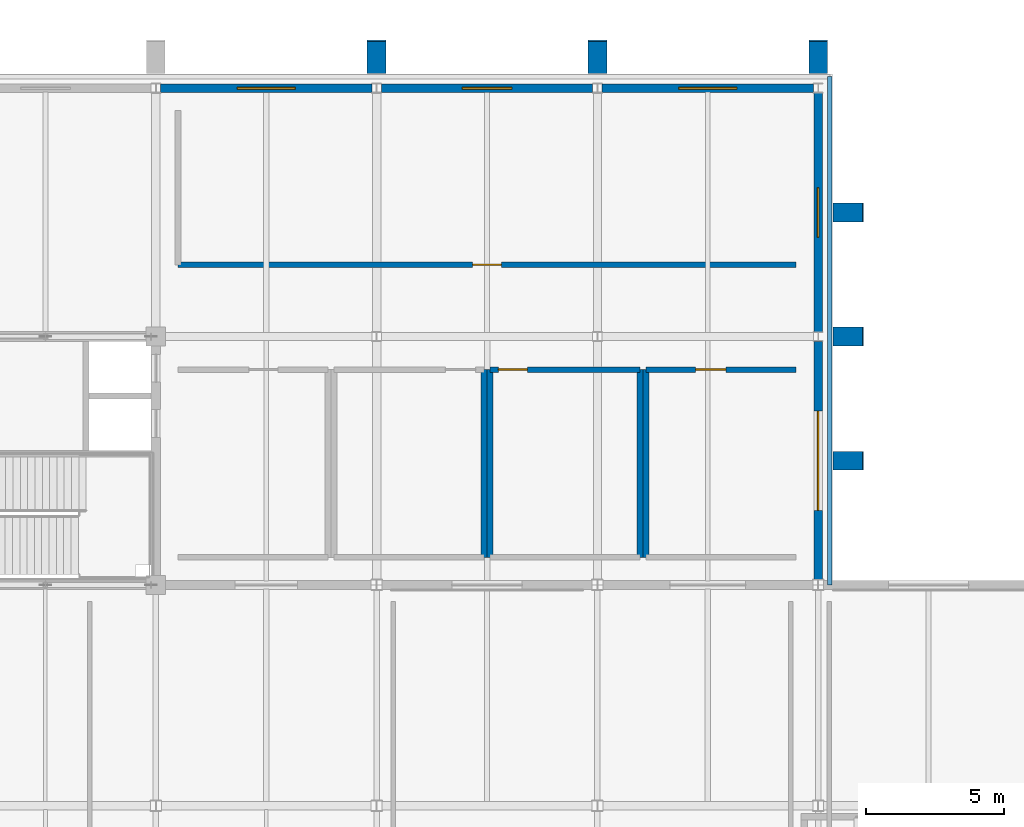
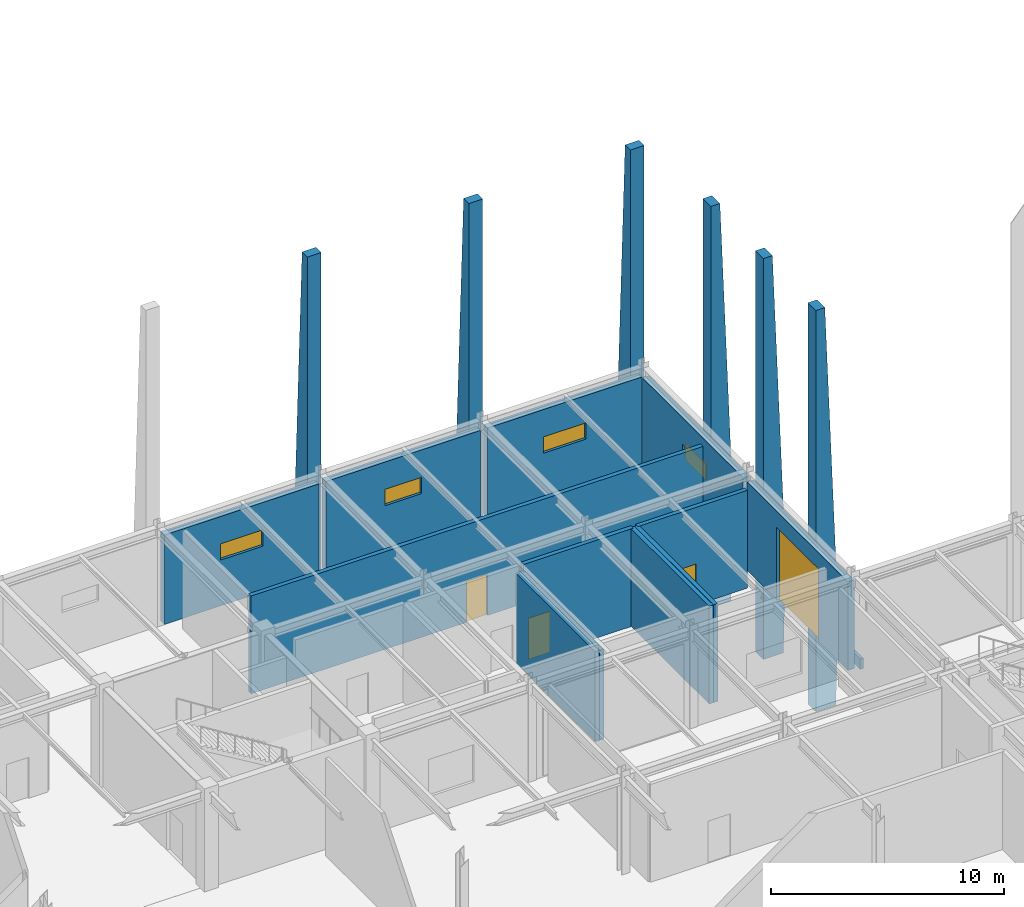
# One storey, part 95 of 119: 19 walls, 4 doors, 4 windows, 8 openings.
"""IFC4 building model written with IfcOpenShell, lengths in metres."""

import ifcopenshell
import ifcopenshell.guid

model = None  # the IFC model being written
_history = None  # IfcOwnerHistory: only IFC2X3 demands one
_inside = {}  # id of a spatial element -> (the spatial element, [elements in it])
_under = {}  # id of a project, library or spatial element -> (it, [spatial elements below it])
_declared = {}  # id of a project -> (the project, [libraries it declares])
_typed = {}  # id of a type object -> (the type object, [elements of that type])
_made_of = {}  # id of a material, layer set ... -> (it, [elements and type objects made of it])


def new_model(schema):
    """Start an empty IFC model of exactly this schema.

    Asked for "IFC4X3", IfcOpenShell would pick the latest addendum, in which some entities
    have other attributes; the version numbers below select the first issue.
    IFC2X3 requires an IfcOwnerHistory on every rooted entity: one is made here for all.
    """
    global model, _history
    if schema == "IFC4X3":
        model = ifcopenshell.file(schema_version=(4, 3, 0, 0))
    else:
        model = ifcopenshell.file(schema=schema)
    _inside.clear()
    _under.clear()
    _declared.clear()
    _typed.clear()
    _made_of.clear()
    _history = None
    if model.schema == "IFC2X3":
        org = make("IfcOrganization", Name="unknown")
        user = make(
            "IfcPersonAndOrganization",
            ThePerson=make("IfcPerson", FamilyName="unknown"),
            TheOrganization=org,
        )
        app = make(
            "IfcApplication",
            ApplicationDeveloper=org,
            Version="unknown",
            ApplicationFullName="unknown",
            ApplicationIdentifier="unknown",
        )
        _history = make(
            "IfcOwnerHistory",
            OwningUser=user,
            OwningApplication=app,
            ChangeAction="ADDED",
            CreationDate=0,
        )
    return model


def make(cls, **values):
    """One entity of the class cls with the attributes given. An attribute that is None is left unset."""
    return model.create_entity(
        cls, **{name: value for name, value in values.items() if value is not None}
    )


def rooted(cls, **values):
    """An entity with a GlobalId (a new one), such as an element, a storey or a relation."""
    return make(cls, GlobalId=ifcopenshell.guid.new(), OwnerHistory=_history, **values)


def si_unit(unit_type, name, prefix=None):
    """IfcSIUnit, for example si_unit("LENGTHUNIT", "METRE", prefix="MILLI")."""
    return make("IfcSIUnit", UnitType=unit_type, Prefix=prefix, Name=name)


def assignment(units):
    """IfcUnitAssignment: the units of a project."""
    return None if units is None else make("IfcUnitAssignment", Units=units)


def point(xyz):
    """IfcCartesianPoint."""
    return None if xyz is None else make("IfcCartesianPoint", Coordinates=xyz)


def direction(xyz):
    """IfcDirection."""
    return None if xyz is None else make("IfcDirection", DirectionRatios=xyz)


def frame(location, z_axis=None, x_axis=None):
    """IfcAxis2Placement3D, a coordinate frame: its origin and axes. An axis left out is left unset."""
    return make(
        "IfcAxis2Placement3D",
        Location=point(location),
        Axis=direction(z_axis),
        RefDirection=direction(x_axis),
    )


def frame_2d(location, x_axis=None):
    """IfcAxis2Placement2D, a coordinate frame in the plane: its origin and x axis."""
    return make(
        "IfcAxis2Placement2D", Location=point(location), RefDirection=direction(x_axis)
    )


def origin():
    """The frame at (0, 0, 0) with its axes left unset."""
    return frame((0.0, 0.0, 0.0))


def place(relative_to, where):
    """IfcLocalPlacement: puts the frame where relative to a parent placement (None: the world)."""
    return make(
        "IfcLocalPlacement", PlacementRelTo=relative_to, RelativePlacement=where
    )


def context(
    kind, dimensions, precision=None, world=None, true_north=None, identifier=None
):
    """IfcGeometricRepresentationContext, for example the 3D "Model" context."""
    return make(
        "IfcGeometricRepresentationContext",
        ContextIdentifier=identifier,
        ContextType=kind,
        CoordinateSpaceDimension=dimensions,
        Precision=precision,
        WorldCoordinateSystem=world,
        TrueNorth=true_north,
    )


def subcontext(parent, identifier, kind, view, scale=None):
    """IfcGeometricRepresentationSubContext, for example "Body" below "Model"."""
    return make(
        "IfcGeometricRepresentationSubContext",
        ContextIdentifier=identifier,
        ContextType=kind,
        ParentContext=parent,
        TargetScale=scale,
        TargetView=view,
    )


def project(units=None, contexts=None):
    """IfcProject with its units and contexts."""
    return rooted(
        "IfcProject",
        Name="project",
        RepresentationContexts=contexts,
        UnitsInContext=assignment(units),
    )


def spatial(cls, under=None, at=None, **own):
    """A site, building, storey or space (cls), placed at a placement, below another one or the project."""
    s = rooted(cls, ObjectPlacement=at, **own)
    if under is not None:
        _under.setdefault(under.id(), (under, []))[1].append(s)
    return s


def polyline(points):
    """IfcPolyline through the points."""
    return make("IfcPolyline", Points=[point(p) for p in points])


def profile(cls, at=None, kind="AREA", **sizes):
    """A parametric profile (cls). Its sizes go by their IFC names, for example OverallWidth=200.0."""
    return make(cls, ProfileType=kind, Position=at, **sizes)


def rectangle(**sizes):
    """IfcRectangleProfileDef."""
    return profile("IfcRectangleProfileDef", **sizes)


def outline(outer, holes=None, kind="AREA"):
    """IfcArbitraryClosedProfileDef: a profile drawn as a closed curve; with holes, ...WithVoids."""
    if holes is None:
        return make("IfcArbitraryClosedProfileDef", ProfileType=kind, OuterCurve=outer)
    return make(
        "IfcArbitraryProfileDefWithVoids",
        ProfileType=kind,
        OuterCurve=outer,
        InnerCurves=holes,
    )


def extrude(swept, where, along, depth):
    """IfcExtrudedAreaSolid: the profile swept, set in the frame where, extruded along a direction by depth."""
    return make(
        "IfcExtrudedAreaSolid",
        SweptArea=swept,
        Position=where,
        ExtrudedDirection=direction(along),
        Depth=depth,
    )


def shape(context_of_items, identifier, shape_type, items):
    """IfcShapeRepresentation: the items that make up one representation, for example the "Body"."""
    return make(
        "IfcShapeRepresentation",
        ContextOfItems=context_of_items,
        RepresentationIdentifier=identifier,
        RepresentationType=shape_type,
        Items=items,
    )


def material(Name=None, Category=None):
    """IfcMaterial."""
    return make("IfcMaterial", Name=Name, Category=Category)


def layer(
    of_material, thickness, ventilated=None, Name=None, Category=None, Priority=None
):
    """IfcMaterialLayer: one layer of a wall or slab, of a material (None: an air gap)."""
    return make(
        "IfcMaterialLayer",
        Material=of_material,
        LayerThickness=thickness,
        IsVentilated=ventilated,
        Name=Name,
        Category=Category,
        Priority=Priority,
    )


def layer_set(layers, Name=None):
    """IfcMaterialLayerSet."""
    return make("IfcMaterialLayerSet", MaterialLayers=layers, LayerSetName=Name)


def made_of(thing, what):
    """Note that an element or type object is made of a material, layer set ...; save() writes the relation."""
    if what is not None:
        _made_of.setdefault(what.id(), (what, []))[1].append(thing)
    return thing


def type_object(cls, material=None, **own):
    """A type object (cls), such as IfcWallType, which elements share."""
    return made_of(rooted(cls, **own), material)


def element(
    cls,
    number,
    at=None,
    inside=None,
    cuts=None,
    type_object=None,
    material=None,
    context=None,
    identifier="Body",
    shape_type=None,
    held_by="IfcProductDefinitionShape",
    body=None,
    shapes=None,
    **own,
):
    """One element of the class cls, such as IfcWall. Its Tag is "e" and its number.

    at: its placement. inside: the storey or other place that contains it. cuts: it is an
    opening in that element (IfcRelVoidsElement). A single representation is given by context,
    identifier, shape_type and body (its items); several are given by shapes. held_by: the class
    of the entity that holds the representations. save() writes the other relations.
    """
    e = rooted(cls, Tag="e%d" % number, ObjectPlacement=at, **own)
    if body is not None:
        shapes = [shape(context, identifier, shape_type, body)]
    if shapes is not None:
        e.Representation = make(held_by, Representations=shapes)
    if inside is not None:
        _inside.setdefault(inside.id(), (inside, []))[1].append(e)
    if cuts is not None:
        rooted(
            "IfcRelVoidsElement", RelatingBuildingElement=cuts, RelatedOpeningElement=e
        )
    if type_object is not None:
        _typed.setdefault(type_object.id(), (type_object, []))[1].append(e)
    return made_of(e, material)


def fill(opening, filler):
    """IfcRelFillsElement: the door or window that sits in an opening."""
    return rooted(
        "IfcRelFillsElement",
        RelatingOpeningElement=opening,
        RelatedBuildingElement=filler,
    )


def aggregate(whole, parts):
    """IfcRelAggregates: a whole, such as a stair, and the parts it consists of."""
    return rooted("IfcRelAggregates", RelatingObject=whole, RelatedObjects=parts)


def save(model, path):
    """Write the relations noted so far, then the file.

    IfcRelAggregates (storeys below a building ...), IfcRelContainedInSpatialStructure (elements
    in a storey), IfcRelDefinesByType, IfcRelAssociatesMaterial and IfcRelDeclares: one each for
    every whole, place, type object, material and project.
    """
    for whole, parts in _under.values():
        aggregate(whole, parts)
    for where, things in _inside.values():
        rooted(
            "IfcRelContainedInSpatialStructure",
            RelatedElements=things,
            RelatingStructure=where,
        )
    for kind, things in _typed.values():
        rooted("IfcRelDefinesByType", RelatedObjects=things, RelatingType=kind)
    for what, things in _made_of.values():
        rooted("IfcRelAssociatesMaterial", RelatedObjects=things, RelatingMaterial=what)
    for by, libraries in _declared.values():
        rooted("IfcRelDeclares", RelatingContext=by, RelatedDefinitions=libraries)
    model.write(path)


model = new_model("IFC4")

# Units and contexts
model_context = context("Model", 3, precision=1e-05, world=origin(), true_north=direction((0.0, 1.0)))
body_context = subcontext(model_context, "Body", "Model", "MODEL_VIEW")
ifc_project = project(units=[si_unit("LENGTHUNIT", "METRE"), si_unit("AREAUNIT", "SQUARE_METRE"), si_unit("VOLUMEUNIT", "CUBIC_METRE"), si_unit("PLANEANGLEUNIT", "RADIAN"), si_unit("MASSUNIT", "GRAM", prefix="KILO")], contexts=[model_context])

# Site, building, storey
site_placement = place(None, origin())
site = spatial("IfcSite", under=ifc_project, at=site_placement, CompositionType="ELEMENT")
building_placement = place(site_placement, origin())
building = spatial("IfcBuilding", under=site, at=building_placement, Name="Zhaolan Boulevard Law Courts", CompositionType="ELEMENT")
storey_placement = place(building_placement, origin())
storey = spatial("IfcBuildingStorey", under=building, at=storey_placement, Name="L00", CompositionType="ELEMENT", Elevation=0.0)

# Walls
ifc_material_1 = material(Name="Concrete C40", Category="concrete")
ifc_layer_1 = layer(ifc_material_1, 0.159912109375)
ifc_layer_set_1 = layer_set([ifc_layer_1])
wall_type_1 = type_object("IfcWallType", Name="EXT WALL ARCH CLAD160", PredefinedType="SOLIDWALL", material=ifc_layer_set_1)
wall_1_placement = place(storey_placement, frame((108.419921875, 94.0, 0.0), z_axis=(0.0, 0.0, 1.0), x_axis=(0.0, 1.0, 0.0)))
element("IfcWall", 1, at=wall_1_placement, inside=storey, type_object=wall_type_1, Name="Custody Concrete Spandrel Band CBW-251", PredefinedType="SOLIDWALL", context=body_context, shape_type="SweptSolid", body=[
    extrude(rectangle(XDim=18.419921875, YDim=0.159912109375, at=frame_2d((9.2099609375, 0.0))), origin(), (0.0, 0.0, 1.0), 0.550048828125),
])
ifc_material_2 = material(Name="Concrete C40", Category="concrete")
ifc_layer_2 = layer(ifc_material_2, 0.679931640625)
ifc_layer_set_2 = layer_set([ifc_layer_2])
wall_type_2 = type_object("IfcWallType", Name="EXT WALL BUTTRESS680", PredefinedType="SOLIDWALL", material=ifc_layer_set_2)
for number, where, z_axis, x_axis, name in (
    (2, (92.0, 112.5400390625, -4.800048828125), (0.0, 0.0, 1.0), (0.0, 1.0, 0.0), "Custody Battered Concrete Pier BTR-241"),
    (3, (100.0, 112.5400390625, -4.800048828125), (0.0, 0.0, 1.0), (0.0, 1.0, 0.0), "Custody Battered Concrete Pier BTR-242"),
    (4, (108.0, 112.5400390625, -4.800048828125), (0.0, 0.0, 1.0), (0.0, 1.0, 0.0), "Custody Battered Concrete Pier BTR-243"),
):
    element("IfcWall", number, at=place(storey_placement, frame(where, z_axis=z_axis, x_axis=x_axis)), inside=storey, type_object=wall_type_2, Name=name, PredefinedType="SOLIDWALL", context=body_context, shape_type="SweptSolid", body=[
        extrude(outline(polyline([(0.0, 0.0), (1.0, 0.0), (1.199951171875, 5.050048828125), (0.449951171875, 21.0), (0.0, 21.0), (0.0, 0.0)])), frame((0.0, 0.33984375, 0.0), z_axis=(0.0, -1.0, 0.0), x_axis=(1.0, 0.0, 0.0)), (0.0, 0.0, 1.0), 0.679931640625),
    ])
for number, where, z_axis, x_axis, name in (
    (5, (108.5400390625, 98.5, -4.800048828125), (0.0, 0.0, 1.0), (1.0, 0.0, 0.0), "Custody Battered Concrete Pier BTR-245"),
    (6, (108.5400390625, 103.0, -4.800048828125), (0.0, 0.0, 1.0), (1.0, 0.0, 0.0), "Custody Battered Concrete Pier BTR-247"),
    (7, (108.5400390625, 107.5, -4.800048828125), (0.0, 0.0, 1.0), (1.0, 0.0, 0.0), "Custody Battered Concrete Pier BTR-249"),
):
    element("IfcWall", number, at=place(storey_placement, frame(where, z_axis=z_axis, x_axis=x_axis)), inside=storey, type_object=wall_type_2, Name=name, PredefinedType="SOLIDWALL", context=body_context, shape_type="SweptSolid", body=[
        extrude(outline(polyline([(0.0, 0.0), (1.0, 0.0), (1.10009765625, 5.050048828125), (0.449951171875, 21.0), (0.0, 21.0), (0.0, 0.0)])), frame((0.0, 0.33984375, 0.0), z_axis=(0.0, -1.0, 0.0), x_axis=(1.0, 0.0, 0.0)), (0.0, 0.0, 1.0), 0.679931640625),
    ])

# Wall, opening, window
ifc_material_3 = material(Name="Concrete C40", Category="concrete")
ifc_layer_3 = layer(ifc_material_3, 0.320068359375)
ifc_layer_set_3 = layer_set([ifc_layer_3])
wall_type_3 = type_object("IfcWallType", Name="EXT WALL CONCRETE320", PredefinedType="SOLIDWALL", material=ifc_layer_set_3)
wall_2_placement = place(storey_placement, frame((91.8291015625, 112.0, 0.0), z_axis=(0.0, 0.0, 1.0), x_axis=(-1.0, 0.0, 0.0)))
wall_2 = element("IfcWall", 8, at=wall_2_placement, inside=storey, type_object=wall_type_3, Name="Exterior Wall EW-L00-310", PredefinedType="SOLIDWALL", context=body_context, shape_type="SweptSolid", body=[
    extrude(rectangle(XDim=7.658203125, YDim=0.320068359375, at=frame_2d((3.8291015625, 0.0))), origin(), (0.0, 0.0, 1.0), 4.68310546875),
])
opening_1_placement = place(wall_2_placement, frame((2.779052734375, 0.0, 2.39990234375)))
opening_1 = element("IfcOpeningElement", 9, at=opening_1_placement, cuts=wall_2, Name="Opening WIN-L00-166", PredefinedType="OPENING", context=body_context, shape_type="SweptSolid", body=[
    extrude(rectangle(XDim=2.10009765625, YDim=0.85009765625, at=frame_2d((1.050048828125, 0.425048828125))), frame((0.0, 0.169921875, 0.0), z_axis=(0.0, -1.0, 0.0), x_axis=(1.0, 0.0, 0.0)), (0.0, 0.0, 1.0), 0.340087890625),
])
ifc_material_4 = material(Name="Thermally broken aluminium and low-E glazing", Category="aluminium")
window_type_1 = type_object("IfcWindowType", Name="WINDOW 2100X850", PartitioningType="DOUBLE_PANEL_VERTICAL", PredefinedType="WINDOW", material=ifc_material_4)
window_1_placement = place(opening_1_placement, origin())
window_1 = element("IfcWindow", 10, at=window_1_placement, inside=storey, type_object=window_type_1, Name="Exterior Window WIN-L00-166", OverallHeight=0.85009765625, OverallWidth=2.10009765625, PartitioningType="SINGLE_PANEL", PredefinedType="WINDOW", context=body_context, shape_type="SweptSolid", body=[
    extrude(rectangle(XDim=2.10009765625, YDim=0.85009765625, at=frame_2d((1.050048828125, 0.425048828125))), frame((0.0, 0.030029296875, 0.0), z_axis=(0.0, -1.0, 0.0), x_axis=(1.0, 0.0, 0.0)), (0.0, 0.0, 1.0), 0.06005859375),
])
fill(opening_1, window_1)

wall_3_placement = place(storey_placement, frame((99.8291015625, 112.0, 0.0), z_axis=(0.0, 0.0, 1.0), x_axis=(-1.0, 0.0, 0.0)))
wall_3 = element("IfcWall", 11, at=wall_3_placement, inside=storey, type_object=wall_type_3, Name="Exterior Wall EW-L00-311", PredefinedType="SOLIDWALL", context=body_context, shape_type="SweptSolid", body=[
    extrude(rectangle(XDim=7.658203125, YDim=0.320068359375, at=frame_2d((3.8291015625, 0.0))), origin(), (0.0, 0.0, 1.0), 4.68310546875),
])
opening_2_placement = place(wall_3_placement, frame((2.928955078125, 0.0, 2.39990234375)))
opening_2 = element("IfcOpeningElement", 12, at=opening_2_placement, cuts=wall_3, Name="Opening WIN-L00-167", PredefinedType="OPENING", context=body_context, shape_type="SweptSolid", body=[
    extrude(rectangle(XDim=1.800048828125, YDim=0.85009765625, at=frame_2d((0.89990234375, 0.425048828125))), frame((0.0, 0.169921875, 0.0), z_axis=(0.0, -1.0, 0.0), x_axis=(1.0, 0.0, 0.0)), (0.0, 0.0, 1.0), 0.340087890625),
])
ifc_material_5 = material(Name="Thermally broken aluminium and low-E glazing", Category="aluminium")
window_type_2 = type_object("IfcWindowType", Name="WINDOW 1800X850", PartitioningType="DOUBLE_PANEL_VERTICAL", PredefinedType="WINDOW", material=ifc_material_5)
window_2_placement = place(opening_2_placement, origin())
window_2 = element("IfcWindow", 13, at=window_2_placement, inside=storey, type_object=window_type_2, Name="Exterior Window WIN-L00-167", OverallHeight=0.85009765625, OverallWidth=1.800048828125, PartitioningType="SINGLE_PANEL", PredefinedType="WINDOW", context=body_context, shape_type="SweptSolid", body=[
    extrude(rectangle(XDim=1.800048828125, YDim=0.85009765625, at=frame_2d((0.89990234375, 0.425048828125))), frame((0.0, 0.030029296875, 0.0), z_axis=(0.0, -1.0, 0.0), x_axis=(1.0, 0.0, 0.0)), (0.0, 0.0, 1.0), 0.06005859375),
])
fill(opening_2, window_2)

wall_4_placement = place(storey_placement, frame((107.8291015625, 112.0, 0.0), z_axis=(0.0, 0.0, 1.0), x_axis=(-1.0, 0.0, 0.0)))
wall_4 = element("IfcWall", 14, at=wall_4_placement, inside=storey, type_object=wall_type_3, Name="Exterior Wall EW-L00-312", PredefinedType="SOLIDWALL", context=body_context, shape_type="SweptSolid", body=[
    extrude(rectangle(XDim=7.658203125, YDim=0.320068359375, at=frame_2d((3.8291015625, 0.0))), origin(), (0.0, 0.0, 1.0), 4.68310546875),
])
opening_3_placement = place(wall_4_placement, frame((2.779052734375, 0.0, 2.39990234375)))
opening_3 = element("IfcOpeningElement", 15, at=opening_3_placement, cuts=wall_4, Name="Opening WIN-L00-168", PredefinedType="OPENING", context=body_context, shape_type="SweptSolid", body=[
    extrude(rectangle(XDim=2.10009765625, YDim=0.85009765625, at=frame_2d((1.050048828125, 0.425048828125))), frame((0.0, 0.169921875, 0.0), z_axis=(0.0, -1.0, 0.0), x_axis=(1.0, 0.0, 0.0)), (0.0, 0.0, 1.0), 0.340087890625),
])
window_3_placement = place(opening_3_placement, origin())
window_3 = element("IfcWindow", 16, at=window_3_placement, inside=storey, type_object=window_type_1, Name="Exterior Window WIN-L00-168", OverallHeight=0.85009765625, OverallWidth=2.10009765625, PartitioningType="SINGLE_PANEL", PredefinedType="WINDOW", context=body_context, shape_type="SweptSolid", body=[
    extrude(rectangle(XDim=2.10009765625, YDim=0.85009765625, at=frame_2d((1.050048828125, 0.425048828125))), frame((0.0, 0.030029296875, 0.0), z_axis=(0.0, -1.0, 0.0), x_axis=(1.0, 0.0, 0.0)), (0.0, 0.0, 1.0), 0.06005859375),
])
fill(opening_3, window_3)

# Wall, opening, door
wall_5_placement = place(storey_placement, frame((108.0, 94.196044921875, 0.0), z_axis=(0.0, 0.0, 1.0), x_axis=(0.0, 1.0, 0.0)))
wall_5 = element("IfcWall", 17, at=wall_5_placement, inside=storey, type_object=wall_type_3, Name="Exterior Wall EW-L00-315", PredefinedType="SOLIDWALL", context=body_context, shape_type="SweptSolid", body=[
    extrude(rectangle(XDim=8.633056640625, YDim=0.320068359375, at=frame_2d((4.31640625, 0.0))), origin(), (0.0, 0.0, 1.0), 4.64111328125),
])
opening_4_placement = place(wall_5_placement, frame((2.50390625, 0.0, 0.0)))
opening_4 = element("IfcOpeningElement", 18, at=opening_4_placement, cuts=wall_5, Name="Opening VD-02", PredefinedType="OPENING", context=body_context, shape_type="SweptSolid", body=[
    extrude(rectangle(XDim=3.60009765625, YDim=3.800048828125, at=frame_2d((1.800048828125, 1.89990234375))), frame((0.0, 0.169921875, 0.0), z_axis=(0.0, -1.0, 0.0), x_axis=(1.0, 0.0, 0.0)), (0.0, 0.0, 1.0), 0.340087890625),
])
ifc_material_6 = material(Name="Insulated powder-coated steel and safety glass", Category="steel")
door_type_1 = type_object("IfcDoorType", Name="LOADING SHUTTER 3600", OperationType="ROLLINGUP", PredefinedType="GATE", material=ifc_material_6)
door_1_placement = place(opening_4_placement, origin())
door_1 = element("IfcDoor", 19, at=door_1_placement, inside=storey, type_object=door_type_1, Name="Loading Dock Roller Door VD-02", OperationType="ROLLINGUP", OverallHeight=3.800048828125, OverallWidth=3.60009765625, PredefinedType="GATE", context=body_context, shape_type="SweptSolid", body=[
    extrude(rectangle(XDim=3.60009765625, YDim=3.800048828125, at=frame_2d((1.800048828125, 1.89990234375))), frame((0.0, 0.02490234375, 0.0), z_axis=(0.0, -1.0, 0.0), x_axis=(1.0, 0.0, 0.0)), (0.0, 0.0, 1.0), 0.050048828125),
])
fill(opening_4, door_1)

# Wall, opening, window
wall_6_placement = place(storey_placement, frame((108.0, 103.1708984375, 0.0), z_axis=(0.0, 0.0, 1.0), x_axis=(0.0, 1.0, 0.0)))
wall_6 = element("IfcWall", 20, at=wall_6_placement, inside=storey, type_object=wall_type_3, Name="Exterior Wall EW-L00-316", PredefinedType="SOLIDWALL", context=body_context, shape_type="SweptSolid", body=[
    extrude(rectangle(XDim=8.658203125, YDim=0.320068359375, at=frame_2d((4.3291015625, 0.0))), origin(), (0.0, 0.0, 1.0), 4.64111328125),
])
opening_5_placement = place(wall_6_placement, frame((3.428955078125, 0.0, 2.39990234375)))
opening_5 = element("IfcOpeningElement", 21, at=opening_5_placement, cuts=wall_6, Name="Opening WIN-L00-171", PredefinedType="OPENING", context=body_context, shape_type="SweptSolid", body=[
    extrude(rectangle(XDim=1.800048828125, YDim=0.85009765625, at=frame_2d((0.89990234375, 0.425048828125))), frame((0.0, 0.169921875, 0.0), z_axis=(0.0, -1.0, 0.0), x_axis=(1.0, 0.0, 0.0)), (0.0, 0.0, 1.0), 0.340087890625),
])
window_4_placement = place(opening_5_placement, origin())
window_4 = element("IfcWindow", 22, at=window_4_placement, inside=storey, type_object=window_type_2, Name="Exterior Window WIN-L00-171", OverallHeight=0.85009765625, OverallWidth=1.800048828125, PartitioningType="SINGLE_PANEL", PredefinedType="WINDOW", context=body_context, shape_type="SweptSolid", body=[
    extrude(rectangle(XDim=1.800048828125, YDim=0.85009765625, at=frame_2d((0.89990234375, 0.425048828125))), frame((0.0, 0.030029296875, 0.0), z_axis=(0.0, -1.0, 0.0), x_axis=(1.0, 0.0, 0.0)), (0.0, 0.0, 1.0), 0.06005859375),
])
fill(opening_5, window_4)

# Wall
ifc_material_7 = material(Name="Concrete C40", Category="concrete")
ifc_layer_4 = layer(ifc_material_7, 0.2099609375)
ifc_layer_set_4 = layer_set([ifc_layer_4])
wall_type_4 = type_object("IfcWallType", Name="PART WALL CUSTODY210", PredefinedType="PARTITIONING", material=ifc_layer_set_4)
wall_7_placement = place(storey_placement, frame((95.889892578125, 95.0, 0.0), z_axis=(0.0, 0.0, 1.0), x_axis=(0.0, 1.0, 0.0)))
element("IfcWall", 23, at=wall_7_placement, inside=storey, type_object=wall_type_4, Name="Interior Partition PW-L00-332", PredefinedType="PARTITIONING", context=body_context, shape_type="SweptSolid", body=[
    extrude(rectangle(XDim=6.800048828125, YDim=0.2099609375, at=frame_2d((3.39990234375, 0.0))), origin(), (0.0, 0.0, 1.0), 4.72607421875),
])

# Wall, opening, door
wall_8_placement = place(storey_placement, frame((101.544921875, 101.800048828125, 0.0), z_axis=(0.0, 0.0, 1.0), x_axis=(-1.0, 0.0, 0.0)))
wall_8 = element("IfcWall", 24, at=wall_8_placement, inside=storey, type_object=wall_type_4, Name="Interior Partition PW-L00-334", PredefinedType="PARTITIONING", context=body_context, shape_type="SweptSolid", body=[
    extrude(rectangle(XDim=5.434814453125, YDim=0.2099609375, at=frame_2d((2.71728515625, 0.0))), origin(), (0.0, 0.0, 1.0), 5.1201171875),
])
opening_6_placement = place(wall_8_placement, frame((4.0849609375, 0.0, 0.0)))
opening_6 = element("IfcOpeningElement", 25, at=opening_6_placement, cuts=wall_8, Name="Opening CD-L00-104", PredefinedType="OPENING", context=body_context, shape_type="SweptSolid", body=[
    extrude(rectangle(XDim=1.050048828125, YDim=2.14990234375, at=frame_2d((0.52490234375, 1.074951171875))), frame((0.0, 0.114990234375, 0.0), z_axis=(0.0, -1.0, 0.0), x_axis=(1.0, 0.0, 0.0)), (0.0, 0.0, 1.0), 0.22998046875),
])
ifc_material_8 = material(Name="Fire-rated steel acoustic door", Category="steel")
door_type_2 = type_object("IfcDoorType", Name="CUSTODY DOOR 1050X2150 R", OperationType="SINGLE_SWING_RIGHT", PredefinedType="DOOR", material=ifc_material_8)
door_2_placement = place(opening_6_placement, origin())
door_2 = element("IfcDoor", 26, at=door_2_placement, inside=storey, type_object=door_type_2, Name="Door CD-L00-104 (Custody Suite Holding Cell L00-03)", OperationType="SINGLE_SWING_RIGHT", OverallHeight=2.14990234375, OverallWidth=1.050048828125, PredefinedType="DOOR", context=body_context, shape_type="SweptSolid", body=[
    extrude(rectangle(XDim=1.050048828125, YDim=2.14990234375, at=frame_2d((0.52490234375, 1.074951171875))), frame((0.0, 0.02490234375, 0.0), z_axis=(0.0, -1.0, 0.0), x_axis=(1.0, 0.0, 0.0)), (0.0, 0.0, 1.0), 0.050048828125),
])
fill(opening_6, door_2)

# Walls
wall_9_placement = place(storey_placement, frame((96.110107421875, 101.800048828125, 0.0), z_axis=(0.0, 0.0, 1.0), x_axis=(0.0, -1.0, 0.0)))
element("IfcWall", 27, at=wall_9_placement, inside=storey, type_object=wall_type_4, Name="Interior Partition PW-L00-335", PredefinedType="PARTITIONING", context=body_context, shape_type="SweptSolid", body=[
    extrude(rectangle(XDim=6.800048828125, YDim=0.2099609375, at=frame_2d((3.39990234375, 0.0))), origin(), (0.0, 0.0, 1.0), 4.72607421875),
])
wall_10_placement = place(storey_placement, frame((101.544921875, 95.0, 0.0), z_axis=(0.0, 0.0, 1.0), x_axis=(0.0, 1.0, 0.0)))
element("IfcWall", 28, at=wall_10_placement, inside=storey, type_object=wall_type_4, Name="Interior Partition PW-L00-336", PredefinedType="PARTITIONING", context=body_context, shape_type="SweptSolid", body=[
    extrude(rectangle(XDim=6.800048828125, YDim=0.2099609375, at=frame_2d((3.39990234375, 0.0))), origin(), (0.0, 0.0, 1.0), 5.1201171875),
])

# Wall, opening, door
wall_11_placement = place(storey_placement, frame((107.199951171875, 101.800048828125, 0.0), z_axis=(0.0, 0.0, 1.0), x_axis=(-1.0, 0.0, 0.0)))
wall_11 = element("IfcWall", 29, at=wall_11_placement, inside=storey, type_object=wall_type_4, Name="Interior Partition PW-L00-338", PredefinedType="PARTITIONING", context=body_context, shape_type="SweptSolid", body=[
    extrude(rectangle(XDim=5.43505859375, YDim=0.2099609375, at=frame_2d((2.717529296875, 0.0))), origin(), (0.0, 0.0, 1.0), 5.1201171875),
])
opening_7_placement = place(wall_11_placement, frame((2.541015625, 0.0, 0.0)))
opening_7 = element("IfcOpeningElement", 30, at=opening_7_placement, cuts=wall_11, Name="Opening CD-L00-105", PredefinedType="OPENING", context=body_context, shape_type="SweptSolid", body=[
    extrude(rectangle(XDim=1.10009765625, YDim=2.14990234375, at=frame_2d((0.550048828125, 1.074951171875))), frame((0.0, 0.114990234375, 0.0), z_axis=(0.0, -1.0, 0.0), x_axis=(1.0, 0.0, 0.0)), (0.0, 0.0, 1.0), 0.22998046875),
])
ifc_material_9 = material(Name="Fire-rated steel acoustic door", Category="steel")
door_type_3 = type_object("IfcDoorType", Name="CUSTODY DOOR 1100X2150 L", OperationType="SINGLE_SWING_LEFT", PredefinedType="DOOR", material=ifc_material_9)
door_3_placement = place(opening_7_placement, origin())
door_3 = element("IfcDoor", 31, at=door_3_placement, inside=storey, type_object=door_type_3, Name="Door CD-L00-105 (Custody Suite Holding Cell L00-04)", OperationType="SINGLE_SWING_LEFT", OverallHeight=2.14990234375, OverallWidth=1.10009765625, PredefinedType="DOOR", context=body_context, shape_type="SweptSolid", body=[
    extrude(rectangle(XDim=1.10009765625, YDim=2.14990234375, at=frame_2d((0.550048828125, 1.074951171875))), frame((0.0, 0.02490234375, 0.0), z_axis=(0.0, -1.0, 0.0), x_axis=(1.0, 0.0, 0.0)), (0.0, 0.0, 1.0), 0.050048828125),
])
fill(opening_7, door_3)

# Wall
wall_12_placement = place(storey_placement, frame((101.764892578125, 101.800048828125, 0.0), z_axis=(0.0, 0.0, 1.0), x_axis=(0.0, -1.0, 0.0)))
element("IfcWall", 32, at=wall_12_placement, inside=storey, type_object=wall_type_4, Name="Interior Partition PW-L00-339", PredefinedType="PARTITIONING", context=body_context, shape_type="SweptSolid", body=[
    extrude(rectangle(XDim=6.800048828125, YDim=0.2099609375, at=frame_2d((3.39990234375, 0.0))), origin(), (0.0, 0.0, 1.0), 5.1201171875),
])

# Wall, opening, door
wall_13_placement = place(storey_placement, frame((84.800048828125, 105.60009765625, 0.0), z_axis=(0.0, 0.0, 1.0), x_axis=(1.0, 0.0, 0.0)))
wall_13 = element("IfcWall", 33, at=wall_13_placement, inside=storey, type_object=wall_type_4, Name="Interior Partition PW-L00-340", PredefinedType="PARTITIONING", context=body_context, shape_type="SweptSolid", body=[
    extrude(rectangle(XDim=22.39990234375, YDim=0.2099609375, at=frame_2d((11.199951171875, 0.0))), origin(), (0.0, 0.0, 1.0), 5.1201171875),
])
opening_8_placement = place(wall_13_placement, frame((10.675048828125, 0.0, 0.0)))
opening_8 = element("IfcOpeningElement", 34, at=opening_8_placement, cuts=wall_13, Name="Opening CD-L00-106", PredefinedType="OPENING", context=body_context, shape_type="SweptSolid", body=[
    extrude(rectangle(XDim=1.050048828125, YDim=2.14990234375, at=frame_2d((0.52490234375, 1.074951171875))), frame((0.0, 0.114990234375, 0.0), z_axis=(0.0, -1.0, 0.0), x_axis=(1.0, 0.0, 0.0)), (0.0, 0.0, 1.0), 0.22998046875),
])
door_4_placement = place(opening_8_placement, origin())
door_4 = element("IfcDoor", 35, at=door_4_placement, inside=storey, type_object=door_type_2, Name="Door CD-L00-106 (Custody Counsel Interview Room)", OperationType="SINGLE_SWING_RIGHT", OverallHeight=2.14990234375, OverallWidth=1.050048828125, PredefinedType="DOOR", context=body_context, shape_type="SweptSolid", body=[
    extrude(rectangle(XDim=1.050048828125, YDim=2.14990234375, at=frame_2d((0.52490234375, 1.074951171875))), frame((0.0, 0.02490234375, 0.0), z_axis=(0.0, -1.0, 0.0), x_axis=(1.0, 0.0, 0.0)), (0.0, 0.0, 1.0), 0.050048828125),
])
fill(opening_8, door_4)

save(model, "model.ifc")
